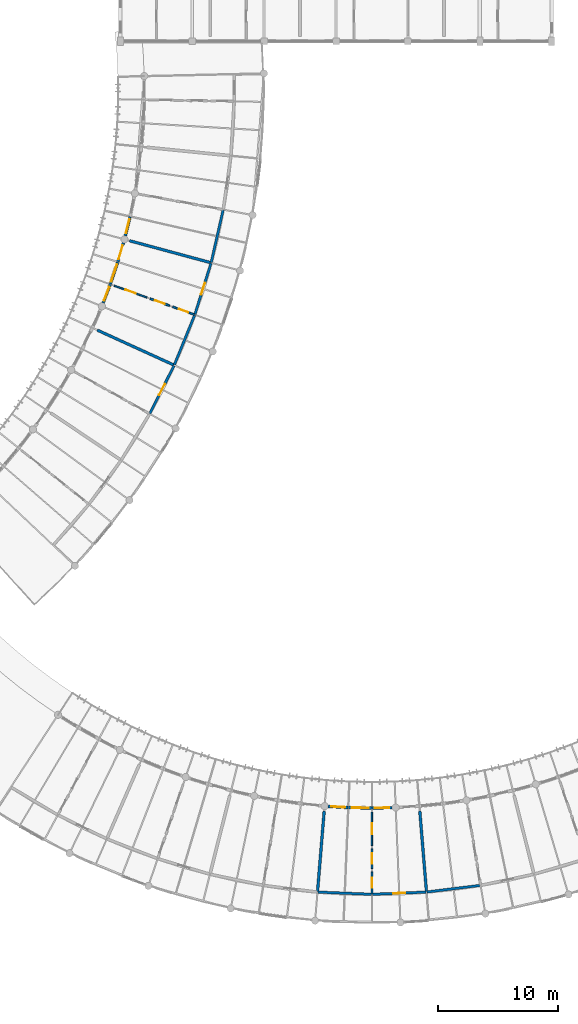
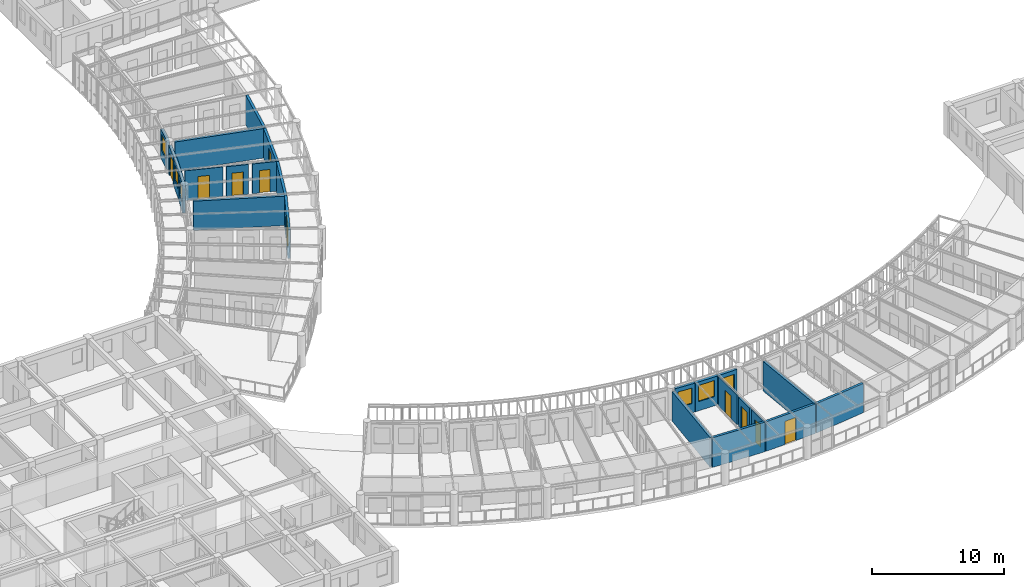
# One storey, part 61 of 101: 24 walls, 10 doors, 6 windows, 16 openings.
"""IFC4 building model written with IfcOpenShell, lengths in metres."""

import ifcopenshell
import ifcopenshell.guid

model = None  # the IFC model being written
_history = None  # IfcOwnerHistory: only IFC2X3 demands one
_inside = {}  # id of a spatial element -> (the spatial element, [elements in it])
_under = {}  # id of a project, library or spatial element -> (it, [spatial elements below it])
_declared = {}  # id of a project -> (the project, [libraries it declares])
_typed = {}  # id of a type object -> (the type object, [elements of that type])
_made_of = {}  # id of a material, layer set ... -> (it, [elements and type objects made of it])


def new_model(schema):
    """Start an empty IFC model of exactly this schema.

    Asked for "IFC4X3", IfcOpenShell would pick the latest addendum, in which some entities
    have other attributes; the version numbers below select the first issue.
    IFC2X3 requires an IfcOwnerHistory on every rooted entity: one is made here for all.
    """
    global model, _history
    if schema == "IFC4X3":
        model = ifcopenshell.file(schema_version=(4, 3, 0, 0))
    else:
        model = ifcopenshell.file(schema=schema)
    _inside.clear()
    _under.clear()
    _declared.clear()
    _typed.clear()
    _made_of.clear()
    _history = None
    if model.schema == "IFC2X3":
        org = make("IfcOrganization", Name="unknown")
        user = make(
            "IfcPersonAndOrganization",
            ThePerson=make("IfcPerson", FamilyName="unknown"),
            TheOrganization=org,
        )
        app = make(
            "IfcApplication",
            ApplicationDeveloper=org,
            Version="unknown",
            ApplicationFullName="unknown",
            ApplicationIdentifier="unknown",
        )
        _history = make(
            "IfcOwnerHistory",
            OwningUser=user,
            OwningApplication=app,
            ChangeAction="ADDED",
            CreationDate=0,
        )
    return model


def make(cls, **values):
    """One entity of the class cls with the attributes given. An attribute that is None is left unset."""
    return model.create_entity(
        cls, **{name: value for name, value in values.items() if value is not None}
    )


def rooted(cls, **values):
    """An entity with a GlobalId (a new one), such as an element, a storey or a relation."""
    return make(cls, GlobalId=ifcopenshell.guid.new(), OwnerHistory=_history, **values)


def si_unit(unit_type, name, prefix=None):
    """IfcSIUnit, for example si_unit("LENGTHUNIT", "METRE", prefix="MILLI")."""
    return make("IfcSIUnit", UnitType=unit_type, Prefix=prefix, Name=name)


def assignment(units):
    """IfcUnitAssignment: the units of a project."""
    return None if units is None else make("IfcUnitAssignment", Units=units)


def point(xyz):
    """IfcCartesianPoint."""
    return None if xyz is None else make("IfcCartesianPoint", Coordinates=xyz)


def direction(xyz):
    """IfcDirection."""
    return None if xyz is None else make("IfcDirection", DirectionRatios=xyz)


def frame(location, z_axis=None, x_axis=None):
    """IfcAxis2Placement3D, a coordinate frame: its origin and axes. An axis left out is left unset."""
    return make(
        "IfcAxis2Placement3D",
        Location=point(location),
        Axis=direction(z_axis),
        RefDirection=direction(x_axis),
    )


def frame_2d(location, x_axis=None):
    """IfcAxis2Placement2D, a coordinate frame in the plane: its origin and x axis."""
    return make(
        "IfcAxis2Placement2D", Location=point(location), RefDirection=direction(x_axis)
    )


def origin():
    """The frame at (0, 0, 0) with its axes left unset."""
    return frame((0.0, 0.0, 0.0))


def place(relative_to, where):
    """IfcLocalPlacement: puts the frame where relative to a parent placement (None: the world)."""
    return make(
        "IfcLocalPlacement", PlacementRelTo=relative_to, RelativePlacement=where
    )


def context(
    kind, dimensions, precision=None, world=None, true_north=None, identifier=None
):
    """IfcGeometricRepresentationContext, for example the 3D "Model" context."""
    return make(
        "IfcGeometricRepresentationContext",
        ContextIdentifier=identifier,
        ContextType=kind,
        CoordinateSpaceDimension=dimensions,
        Precision=precision,
        WorldCoordinateSystem=world,
        TrueNorth=true_north,
    )


def subcontext(parent, identifier, kind, view, scale=None):
    """IfcGeometricRepresentationSubContext, for example "Body" below "Model"."""
    return make(
        "IfcGeometricRepresentationSubContext",
        ContextIdentifier=identifier,
        ContextType=kind,
        ParentContext=parent,
        TargetScale=scale,
        TargetView=view,
    )


def project(units=None, contexts=None):
    """IfcProject with its units and contexts."""
    return rooted(
        "IfcProject",
        Name="project",
        RepresentationContexts=contexts,
        UnitsInContext=assignment(units),
    )


def spatial(cls, under=None, at=None, **own):
    """A site, building, storey or space (cls), placed at a placement, below another one or the project."""
    s = rooted(cls, ObjectPlacement=at, **own)
    if under is not None:
        _under.setdefault(under.id(), (under, []))[1].append(s)
    return s


def profile(cls, at=None, kind="AREA", **sizes):
    """A parametric profile (cls). Its sizes go by their IFC names, for example OverallWidth=200.0."""
    return make(cls, ProfileType=kind, Position=at, **sizes)


def rectangle(**sizes):
    """IfcRectangleProfileDef."""
    return profile("IfcRectangleProfileDef", **sizes)


def extrude(swept, where, along, depth):
    """IfcExtrudedAreaSolid: the profile swept, set in the frame where, extruded along a direction by depth."""
    return make(
        "IfcExtrudedAreaSolid",
        SweptArea=swept,
        Position=where,
        ExtrudedDirection=direction(along),
        Depth=depth,
    )


def shape(context_of_items, identifier, shape_type, items):
    """IfcShapeRepresentation: the items that make up one representation, for example the "Body"."""
    return make(
        "IfcShapeRepresentation",
        ContextOfItems=context_of_items,
        RepresentationIdentifier=identifier,
        RepresentationType=shape_type,
        Items=items,
    )


def material(Name=None, Category=None):
    """IfcMaterial."""
    return make("IfcMaterial", Name=Name, Category=Category)


def layer(
    of_material, thickness, ventilated=None, Name=None, Category=None, Priority=None
):
    """IfcMaterialLayer: one layer of a wall or slab, of a material (None: an air gap)."""
    return make(
        "IfcMaterialLayer",
        Material=of_material,
        LayerThickness=thickness,
        IsVentilated=ventilated,
        Name=Name,
        Category=Category,
        Priority=Priority,
    )


def layer_set(layers, Name=None):
    """IfcMaterialLayerSet."""
    return make("IfcMaterialLayerSet", MaterialLayers=layers, LayerSetName=Name)


def made_of(thing, what):
    """Note that an element or type object is made of a material, layer set ...; save() writes the relation."""
    if what is not None:
        _made_of.setdefault(what.id(), (what, []))[1].append(thing)
    return thing


def type_object(cls, material=None, **own):
    """A type object (cls), such as IfcWallType, which elements share."""
    return made_of(rooted(cls, **own), material)


def element(
    cls,
    number,
    at=None,
    inside=None,
    cuts=None,
    type_object=None,
    material=None,
    context=None,
    identifier="Body",
    shape_type=None,
    held_by="IfcProductDefinitionShape",
    body=None,
    shapes=None,
    **own,
):
    """One element of the class cls, such as IfcWall. Its Tag is "e" and its number.

    at: its placement. inside: the storey or other place that contains it. cuts: it is an
    opening in that element (IfcRelVoidsElement). A single representation is given by context,
    identifier, shape_type and body (its items); several are given by shapes. held_by: the class
    of the entity that holds the representations. save() writes the other relations.
    """
    e = rooted(cls, Tag="e%d" % number, ObjectPlacement=at, **own)
    if body is not None:
        shapes = [shape(context, identifier, shape_type, body)]
    if shapes is not None:
        e.Representation = make(held_by, Representations=shapes)
    if inside is not None:
        _inside.setdefault(inside.id(), (inside, []))[1].append(e)
    if cuts is not None:
        rooted(
            "IfcRelVoidsElement", RelatingBuildingElement=cuts, RelatedOpeningElement=e
        )
    if type_object is not None:
        _typed.setdefault(type_object.id(), (type_object, []))[1].append(e)
    return made_of(e, material)


def fill(opening, filler):
    """IfcRelFillsElement: the door or window that sits in an opening."""
    return rooted(
        "IfcRelFillsElement",
        RelatingOpeningElement=opening,
        RelatedBuildingElement=filler,
    )


def aggregate(whole, parts):
    """IfcRelAggregates: a whole, such as a stair, and the parts it consists of."""
    return rooted("IfcRelAggregates", RelatingObject=whole, RelatedObjects=parts)


def save(model, path):
    """Write the relations noted so far, then the file.

    IfcRelAggregates (storeys below a building ...), IfcRelContainedInSpatialStructure (elements
    in a storey), IfcRelDefinesByType, IfcRelAssociatesMaterial and IfcRelDeclares: one each for
    every whole, place, type object, material and project.
    """
    for whole, parts in _under.values():
        aggregate(whole, parts)
    for where, things in _inside.values():
        rooted(
            "IfcRelContainedInSpatialStructure",
            RelatedElements=things,
            RelatingStructure=where,
        )
    for kind, things in _typed.values():
        rooted("IfcRelDefinesByType", RelatedObjects=things, RelatingType=kind)
    for what, things in _made_of.values():
        rooted("IfcRelAssociatesMaterial", RelatedObjects=things, RelatingMaterial=what)
    for by, libraries in _declared.values():
        rooted("IfcRelDeclares", RelatingContext=by, RelatedDefinitions=libraries)
    model.write(path)


model = new_model("IFC4")

# Units and contexts
model_context = context("Model", 3, precision=1e-05, world=origin(), true_north=direction((0.0, 1.0)))
body_context = subcontext(model_context, "Body", "Model", "MODEL_VIEW")
ifc_project = project(units=[si_unit("LENGTHUNIT", "METRE"), si_unit("AREAUNIT", "SQUARE_METRE"), si_unit("VOLUMEUNIT", "CUBIC_METRE"), si_unit("PLANEANGLEUNIT", "RADIAN"), si_unit("MASSUNIT", "GRAM", prefix="KILO"), si_unit("POWERUNIT", "WATT"), si_unit("THERMODYNAMICTEMPERATUREUNIT", "KELVIN")], contexts=[model_context])

# Site, building, storey
site_placement = place(None, origin())
site = spatial("IfcSite", under=ifc_project, at=site_placement, CompositionType="ELEMENT")
building_placement = place(site_placement, origin())
building = spatial("IfcBuilding", under=site, at=building_placement, Name="Ruvembo Vaulted Housing Court", CompositionType="ELEMENT")
storey_placement = place(building_placement, frame((0.0, 0.0, 17.300048828125)))
storey = spatial("IfcBuildingStorey", under=building, at=storey_placement, Name="L05", CompositionType="ELEMENT", Elevation=17.300048828125)

# Wall, opening, door
ifc_material_1 = material(Name="Concrete Blockwork 210", Category="masonry")
ifc_layer_1 = layer(ifc_material_1, 0.2099609375, Name="Concrete Blockwork 210")
ifc_layer_set_1 = layer_set([ifc_layer_1], Name="Concrete Blockwork 210")
wall_type_1 = type_object("IfcWallType", Name="WL-CORR-210", PredefinedType="SOLIDWALL", material=ifc_layer_set_1)
wall_1_placement = place(storey_placement, frame((50.45703125, 46.94482421875, 0.0), z_axis=(0.0, 0.0, 1.0), x_axis=(0.451972910967, 0.892031662976, 0.0)))
wall_1 = element("IfcWall", 1, at=wall_1_placement, inside=storey, type_object=wall_type_1, Name="L05 Suite SC1-L05-U2 Entrance WL-INT-L05-01585", PredefinedType="SOLIDWALL", context=body_context, shape_type="SweptSolid", body=[
    extrude(rectangle(XDim=4.46728515625, YDim=0.2099609375, at=frame_2d((2.233642578125, 0.0))), origin(), (0.0, 0.0, 1.0), 2.75390625),
])
opening_1_placement = place(wall_1_placement, frame((1.70849609375, 0.0, 0.0)))
opening_1 = element("IfcOpeningElement", 2, at=opening_1_placement, cuts=wall_1, Name="Opening FD3", PredefinedType="OPENING", context=body_context, shape_type="SweptSolid", body=[
    extrude(rectangle(XDim=1.050048828125, YDim=2.14990234375, at=frame_2d((0.52490234375, 1.074951171875))), frame((0.0, 0.114990234375, 0.0), z_axis=(0.0, -1.0, 0.0), x_axis=(1.0, 0.0, 0.0)), (0.0, 0.0, 1.0), 0.22998046875),
])
ifc_material_2 = material(Name="FSC Hardwood and Engineered Timber", Category="wood")
door_type_1 = type_object("IfcDoorType", Name="DR-FLAT-1050x2150", OperationType="NOTDEFINED", PredefinedType="DOOR", material=ifc_material_2)
door_1_placement = place(opening_1_placement, origin())
door_1 = element("IfcDoor", 3, at=door_1_placement, inside=storey, type_object=door_type_1, Name="L05 Suite SC1-L05-U2 Entrance Door DR-INT-L05-00887", OperationType="SINGLE_SWING_LEFT", OverallHeight=2.14990234375, OverallWidth=1.050048828125, PredefinedType="DOOR", context=body_context, shape_type="SweptSolid", body=[
    extrude(rectangle(XDim=1.050048828125, YDim=2.14990234375, at=frame_2d((0.52490234375, 1.074951171875))), frame((0.0, 0.02490234375, 0.0), z_axis=(0.0, -1.0, 0.0), x_axis=(1.0, 0.0, 0.0)), (0.0, 0.0, 1.0), 0.050048828125),
])
fill(opening_1, door_1)

# Wall
wall_2_placement = place(storey_placement, frame((52.50927734375, 51.00244140625, 0.0), z_axis=(0.0, 0.0, 1.0), x_axis=(0.377413192487, 0.926044967665, 0.0)))
element("IfcWall", 4, at=wall_2_placement, inside=storey, type_object=wall_type_1, Name="L05 Suite SC1-L05-U3 Gallery Wall WL-INT-L05-01590", PredefinedType="SOLIDWALL", context=body_context, shape_type="SweptSolid", body=[
    extrude(rectangle(XDim=4.46728515625, YDim=0.2099609375, at=frame_2d((2.233642578125, 0.0))), origin(), (0.0, 0.0, 1.0), 2.73388671875),
])

# Wall, opening, door
wall_3_placement = place(storey_placement, frame((54.222412109375, 55.214599609375, 0.0), z_axis=(0.0, 0.0, 1.0), x_axis=(0.300377958446, 0.953820256694, 0.0)))
wall_3 = element("IfcWall", 5, at=wall_3_placement, inside=storey, type_object=wall_type_1, Name="L05 Suite SC1-L05-U3 Entrance WL-INT-L05-01591", PredefinedType="SOLIDWALL", context=body_context, shape_type="SweptSolid", body=[
    extrude(rectangle(XDim=4.467041015625, YDim=0.2099609375, at=frame_2d((2.2333984375, 0.0))), origin(), (0.0, 0.0, 1.0), 2.7138671875),
])
opening_2_placement = place(wall_3_placement, frame((1.7333984375, 0.0, 0.0)))
opening_2 = element("IfcOpeningElement", 6, at=opening_2_placement, cuts=wall_3, Name="Opening FD1", PredefinedType="OPENING", context=body_context, shape_type="SweptSolid", body=[
    extrude(rectangle(XDim=1.0, YDim=2.14990234375, at=frame_2d((0.5, 1.074951171875))), frame((0.0, 0.114990234375, 0.0), z_axis=(0.0, -1.0, 0.0), x_axis=(1.0, 0.0, 0.0)), (0.0, 0.0, 1.0), 0.22998046875),
])
door_type_2 = type_object("IfcDoorType", Name="DR-FLAT-1000x2150", OperationType="NOTDEFINED", PredefinedType="DOOR", material=ifc_material_2)
door_2_placement = place(opening_2_placement, origin())
door_2 = element("IfcDoor", 7, at=door_2_placement, inside=storey, type_object=door_type_2, Name="L05 Suite SC1-L05-U3 Entrance Door DR-INT-L05-00891", OperationType="SINGLE_SWING_LEFT", OverallHeight=2.14990234375, OverallWidth=1.0, PredefinedType="DOOR", context=body_context, shape_type="SweptSolid", body=[
    extrude(rectangle(XDim=1.0, YDim=2.14990234375, at=frame_2d((0.5, 1.074951171875))), frame((0.0, 0.02490234375, 0.0), z_axis=(0.0, -1.0, 0.0), x_axis=(1.0, 0.0, 0.0)), (0.0, 0.0, 1.0), 0.050048828125),
])
fill(opening_2, door_2)

# Walls
wall_4_placement = place(storey_placement, frame((55.5849609375, 59.552490234375, 0.0), z_axis=(0.0, 0.0, 1.0), x_axis=(0.221221895428, 0.97522349899, 0.0)))
element("IfcWall", 8, at=wall_4_placement, inside=storey, type_object=wall_type_1, Name="L05 Suite SC1-L05-U4 Gallery Wall WL-INT-L05-01596", PredefinedType="SOLIDWALL", context=body_context, shape_type="SweptSolid", body=[
    extrude(rectangle(XDim=4.46728515625, YDim=0.2099609375, at=frame_2d((2.233642578125, 0.0))), origin(), (0.0, 0.0, 1.0), 2.75390625),
])
wall_5_placement = place(storey_placement, frame((64.49072265625, 6.986083984375, 0.0), z_axis=(0.0, 0.0, 1.0), x_axis=(0.999148329529, -0.041262762871, 0.0)))
element("IfcWall", 9, at=wall_5_placement, inside=storey, type_object=wall_type_1, Name="L05 Suite SC2-L05-U4 Gallery Wall WL-INT-L05-01625", PredefinedType="SOLIDWALL", context=body_context, shape_type="SweptSolid", body=[
    extrude(rectangle(XDim=4.47314453125, YDim=0.2099609375, at=frame_2d((2.236572265625, 0.0))), origin(), (0.0, 0.0, 1.0), 2.75390625),
])

# Wall, opening, door
wall_6_placement = place(storey_placement, frame((69.0400390625, 6.801513671875, 0.0), z_axis=(0.0, 0.0, 1.0), x_axis=(0.999148329529, 0.041262762871, 0.0)))
wall_6 = element("IfcWall", 10, at=wall_6_placement, inside=storey, type_object=wall_type_1, Name="L05 Suite SC2-L05-U4 Entrance WL-INT-L05-01626", PredefinedType="SOLIDWALL", context=body_context, shape_type="SweptSolid", body=[
    extrude(rectangle(XDim=4.47314453125, YDim=0.2099609375, at=frame_2d((2.236572265625, 0.0))), origin(), (0.0, 0.0, 1.0), 2.73388671875),
])
opening_3_placement = place(wall_6_placement, frame((1.736572265625, 0.0, 0.0)))
opening_3 = element("IfcOpeningElement", 11, at=opening_3_placement, cuts=wall_6, Name="Opening FD1", PredefinedType="OPENING", context=body_context, shape_type="SweptSolid", body=[
    extrude(rectangle(XDim=1.0, YDim=2.14990234375, at=frame_2d((0.5, 1.074951171875))), frame((0.0, 0.114990234375, 0.0), z_axis=(0.0, -1.0, 0.0), x_axis=(1.0, 0.0, 0.0)), (0.0, 0.0, 1.0), 0.22998046875),
])
door_3_placement = place(opening_3_placement, origin())
door_3 = element("IfcDoor", 12, at=door_3_placement, inside=storey, type_object=door_type_2, Name="L05 Suite SC2-L05-U4 Entrance Door DR-INT-L05-00915", OperationType="SINGLE_SWING_LEFT", OverallHeight=2.14990234375, OverallWidth=1.0, PredefinedType="DOOR", context=body_context, shape_type="SweptSolid", body=[
    extrude(rectangle(XDim=1.0, YDim=2.14990234375, at=frame_2d((0.5, 1.074951171875))), frame((0.0, 0.02490234375, 0.0), z_axis=(0.0, -1.0, 0.0), x_axis=(1.0, 0.0, 0.0)), (0.0, 0.0, 1.0), 0.050048828125),
])
fill(opening_3, door_3)

# Walls
wall_7_placement = place(storey_placement, frame((73.5888671875, 6.99267578125, 0.0), z_axis=(0.0, 0.0, 1.0), x_axis=(0.992349088432, 0.123463705959, 0.0)))
element("IfcWall", 13, at=wall_7_placement, inside=storey, type_object=wall_type_1, Name="L05 Suite SC2-L05-U5 Gallery Wall WL-INT-L05-01631", PredefinedType="SOLIDWALL", context=body_context, shape_type="SweptSolid", body=[
    extrude(rectangle(XDim=4.472900390625, YDim=0.2099609375, at=frame_2d((2.236328125, 0.0))), origin(), (0.0, 0.0, 1.0), 2.7138671875),
])
ifc_material_3 = material(Name="Acoustic Masonry Demising 230", Category="masonry")
ifc_layer_2 = layer(ifc_material_3, 0.22998046875, Name="Acoustic Masonry Demising 230")
ifc_layer_set_2 = layer_set([ifc_layer_2], Name="Acoustic Masonry Demising 230")
wall_type_2 = type_object("IfcWallType", Name="WL-DEM-230", PredefinedType="SOLIDWALL", material=ifc_layer_set_2)
wall_8_placement = place(storey_placement, frame((46.07080078125, 53.8955078125, 0.0), z_axis=(0.0, 0.0, 1.0), x_axis=(0.909807068599, -0.415031442095, 0.0)))
element("IfcWall", 14, at=wall_8_placement, inside=storey, type_object=wall_type_2, Name="L05 Suite SC1-L05-U2 Demising WL-INT-L05-01589", PredefinedType="SOLIDWALL", context=body_context, shape_type="SweptSolid", body=[
    extrude(rectangle(XDim=7.02001953125, YDim=0.22998046875, at=frame_2d((3.510009765625, 0.0))), origin(), (0.0, 0.0, 1.0), 2.7138671875),
])
wall_9_placement = place(storey_placement, frame((48.7607421875, 61.3564453125, 0.0), z_axis=(0.0, 0.0, 1.0), x_axis=(0.965329768393, -0.26103340448, 0.0)))
element("IfcWall", 15, at=wall_9_placement, inside=storey, type_object=wall_type_2, Name="L05 Suite SC1-L05-U3 Demising WL-INT-L05-01595", PredefinedType="SOLIDWALL", context=body_context, shape_type="SweptSolid", body=[
    extrude(rectangle(XDim=7.020263671875, YDim=0.22998046875, at=frame_2d((3.51025390625, 0.0))), origin(), (0.0, 0.0, 1.0), 2.73388671875),
])
wall_10_placement = place(storey_placement, frame((65.00927734375, 13.74072265625, 0.0), z_axis=(0.0, 0.0, 1.0), x_axis=(-0.082418569382, -0.996597802236, 0.0)))
element("IfcWall", 16, at=wall_10_placement, inside=storey, type_object=wall_type_2, Name="L05 Suite SC2-L05-U3 Demising WL-INT-L05-01624", PredefinedType="SOLIDWALL", context=body_context, shape_type="SweptSolid", body=[
    extrude(rectangle(XDim=6.736083984375, YDim=0.22998046875, at=frame_2d((3.3681640625, 0.0))), origin(), (0.0, 0.0, 1.0), 2.73388671875),
])
wall_11_placement = place(storey_placement, frame((72.99072265625, 13.74072265625, 0.0), z_axis=(0.0, 0.0, 1.0), x_axis=(0.082418569382, -0.996597802236, 0.0)))
element("IfcWall", 17, at=wall_11_placement, inside=storey, type_object=wall_type_2, Name="L05 Suite SC2-L05-U4 Demising WL-INT-L05-01630", PredefinedType="SOLIDWALL", context=body_context, shape_type="SweptSolid", body=[
    extrude(rectangle(XDim=6.736083984375, YDim=0.22998046875, at=frame_2d((3.3681640625, 0.0))), origin(), (0.0, 0.0, 1.0), 2.75390625),
])

# Wall, opening, window
ifc_material_4 = material(Name="Rendered Masonry 235", Category="masonry")
ifc_layer_3 = layer(ifc_material_4, 0.235107421875, Name="Rendered Masonry 235")
ifc_layer_set_3 = layer_set([ifc_layer_3], Name="Rendered Masonry 235")
wall_type_3 = type_object("IfcWallType", Name="WL-EXT-235", PredefinedType="STANDARD", material=ifc_layer_set_3)
wall_12_placement = place(storey_placement, frame((46.5576171875, 56.1640625, 0.0), z_axis=(0.0, 0.0, 1.0), x_axis=(0.358343161541, 0.933589941343, 0.0)))
wall_12 = element("IfcWall", 18, at=wall_12_placement, inside=storey, type_object=wall_type_3, Name="Scoop SC1 L05 Concave Balcony Wall 9", PredefinedType="STANDARD", context=body_context, shape_type="SweptSolid", body=[
    extrude(rectangle(XDim=1.646728515625, YDim=0.235107421875, at=frame_2d((0.8232421875, 0.0))), origin(), (0.0, 0.0, 1.0), 2.676025390625),
])
opening_4_placement = place(wall_12_placement, frame((0.223388671875, 0.0, 0.85009765625)))
opening_4 = element("IfcOpeningElement", 19, at=opening_4_placement, cuts=wall_12, Name="Opening W12", PredefinedType="OPENING", context=body_context, shape_type="SweptSolid", body=[
    extrude(rectangle(XDim=1.199951171875, YDim=1.35009765625, at=frame_2d((0.60009765625, 0.675048828125))), frame((0.0, 0.12744140625, 0.0), z_axis=(0.0, -1.0, 0.0), x_axis=(1.0, 0.0, 0.0)), (0.0, 0.0, 1.0), 0.255126953125),
])
ifc_material_5 = material(Name="Double Solar-Control Glazing in Aluminium Frame", Category="aluminium")
window_type_1 = type_object("IfcWindowType", Name="WIN-1200x1350", PartitioningType="SINGLE_PANEL", PredefinedType="WINDOW", material=ifc_material_5)
window_1_placement = place(opening_4_placement, origin())
window_1 = element("IfcWindow", 20, at=window_1_placement, inside=storey, type_object=window_type_1, Name="Scoop SC1 L05 Concave Window 9", OverallHeight=1.35009765625, OverallWidth=1.199951171875, PartitioningType="SINGLE_PANEL", PredefinedType="WINDOW", context=body_context, shape_type="SweptSolid", body=[
    extrude(rectangle(XDim=1.199951171875, YDim=1.35009765625, at=frame_2d((0.60009765625, 0.675048828125))), frame((0.0, 0.030029296875, 0.0), z_axis=(0.0, -1.0, 0.0), x_axis=(1.0, 0.0, 0.0)), (0.0, 0.0, 1.0), 0.06005859375),
])
fill(opening_4, window_1)

wall_13_placement = place(storey_placement, frame((47.161376953125, 57.739013671875, 0.0), z_axis=(0.0, 0.0, 1.0), x_axis=(0.319798549746, 0.947485560618, 0.0)))
wall_13 = element("IfcWall", 21, at=wall_13_placement, inside=storey, type_object=wall_type_3, Name="Scoop SC1 L05 Concave Balcony Wall 10", PredefinedType="STANDARD", context=body_context, shape_type="SweptSolid", body=[
    extrude(rectangle(XDim=1.9267578125, YDim=0.235107421875, at=frame_2d((0.96337890625, 0.0))), origin(), (0.0, 0.0, 1.0), 2.676025390625),
])
opening_5_placement = place(wall_13_placement, frame((0.21337890625, 0.0, 0.85009765625)))
opening_5 = element("IfcOpeningElement", 22, at=opening_5_placement, cuts=wall_13, Name="Opening W18", PredefinedType="OPENING", context=body_context, shape_type="SweptSolid", body=[
    extrude(rectangle(XDim=1.5, YDim=1.39990234375, at=frame_2d((0.75, 0.699951171875))), frame((0.0, 0.12744140625, 0.0), z_axis=(0.0, -1.0, 0.0), x_axis=(1.0, 0.0, 0.0)), (0.0, 0.0, 1.0), 0.255126953125),
])
window_type_2 = type_object("IfcWindowType", Name="WIN-1500x1400", PartitioningType="SINGLE_PANEL", PredefinedType="WINDOW", material=ifc_material_5)
window_2_placement = place(opening_5_placement, origin())
window_2 = element("IfcWindow", 23, at=window_2_placement, inside=storey, type_object=window_type_2, Name="Scoop SC1 L05 Concave Window 10", OverallHeight=1.39990234375, OverallWidth=1.5, PartitioningType="SINGLE_PANEL", PredefinedType="WINDOW", context=body_context, shape_type="SweptSolid", body=[
    extrude(rectangle(XDim=1.5, YDim=1.39990234375, at=frame_2d((0.75, 0.699951171875))), frame((0.0, 0.030029296875, 0.0), z_axis=(0.0, -1.0, 0.0), x_axis=(1.0, 0.0, 0.0)), (0.0, 0.0, 1.0), 0.06005859375),
])
fill(opening_5, window_2)

# Wall, opening, door
wall_14_placement = place(storey_placement, frame((47.78955078125, 59.602783203125, 0.0), z_axis=(0.0, 0.0, 1.0), x_axis=(0.280648942253, 0.959810487134, 0.0)))
wall_14 = element("IfcWall", 24, at=wall_14_placement, inside=storey, type_object=wall_type_3, Name="Scoop SC1 L05 Concave Balcony Wall 11", PredefinedType="STANDARD", context=body_context, shape_type="SweptSolid", body=[
    extrude(rectangle(XDim=1.646728515625, YDim=0.235107421875, at=frame_2d((0.8232421875, 0.0))), origin(), (0.0, 0.0, 1.0), 2.676025390625),
])
opening_6_placement = place(wall_14_placement, frame((0.223388671875, 0.0, 0.0)))
opening_6 = element("IfcOpeningElement", 25, at=opening_6_placement, cuts=wall_14, Name="Opening BD2", PredefinedType="OPENING", context=body_context, shape_type="SweptSolid", body=[
    extrude(rectangle(XDim=1.199951171875, YDim=2.14990234375, at=frame_2d((0.60009765625, 1.074951171875))), frame((0.0, 0.12744140625, 0.0), z_axis=(0.0, -1.0, 0.0), x_axis=(1.0, 0.0, 0.0)), (0.0, 0.0, 1.0), 0.255126953125),
])
ifc_material_6 = material(Name="Thermally Broken Glazed Aluminium", Category="aluminium")
door_type_3 = type_object("IfcDoorType", Name="DR-BAL-1200x2150", OperationType="NOTDEFINED", PredefinedType="DOOR", material=ifc_material_6)
door_4_placement = place(opening_6_placement, origin())
door_4 = element("IfcDoor", 26, at=door_4_placement, inside=storey, type_object=door_type_3, Name="Scoop SC1 L05 Balcony Door 11", OperationType="SINGLE_SWING_RIGHT", OverallHeight=2.14990234375, OverallWidth=1.199951171875, PredefinedType="DOOR", context=body_context, shape_type="SweptSolid", body=[
    extrude(rectangle(XDim=1.199951171875, YDim=2.14990234375, at=frame_2d((0.60009765625, 1.074951171875))), frame((0.0, 0.02490234375, 0.0), z_axis=(0.0, -1.0, 0.0), x_axis=(1.0, 0.0, 0.0)), (0.0, 0.0, 1.0), 0.050048828125),
])
fill(opening_6, door_4)

# Wall, opening, window
wall_15_placement = place(storey_placement, frame((48.408447265625, 61.76220703125, 0.0), z_axis=(0.0, 0.0, 1.0), x_axis=(0.241175130643, 0.970481610521, 0.0)))
wall_15 = element("IfcWall", 27, at=wall_15_placement, inside=storey, type_object=wall_type_3, Name="Scoop SC1 L05 Concave Balcony Wall 12", PredefinedType="STANDARD", context=body_context, shape_type="SweptSolid", body=[
    extrude(rectangle(XDim=1.64697265625, YDim=0.235107421875, at=frame_2d((0.823486328125, 0.0))), origin(), (0.0, 0.0, 1.0), 2.676025390625),
])
opening_7_placement = place(wall_15_placement, frame((0.223388671875, 0.0, 0.85009765625)))
opening_7 = element("IfcOpeningElement", 28, at=opening_7_placement, cuts=wall_15, Name="Opening W14", PredefinedType="OPENING", context=body_context, shape_type="SweptSolid", body=[
    extrude(rectangle(XDim=1.199951171875, YDim=1.5, at=frame_2d((0.60009765625, 0.75))), frame((0.0, 0.12744140625, 0.0), z_axis=(0.0, -1.0, 0.0), x_axis=(1.0, 0.0, 0.0)), (0.0, 0.0, 1.0), 0.255126953125),
])
window_type_3 = type_object("IfcWindowType", Name="WIN-1200x1500", PartitioningType="SINGLE_PANEL", PredefinedType="WINDOW", material=ifc_material_5)
window_3_placement = place(opening_7_placement, origin())
window_3 = element("IfcWindow", 29, at=window_3_placement, inside=storey, type_object=window_type_3, Name="Scoop SC1 L05 Concave Window 12", OverallHeight=1.5, OverallWidth=1.199951171875, PartitioningType="SINGLE_PANEL", PredefinedType="WINDOW", context=body_context, shape_type="SweptSolid", body=[
    extrude(rectangle(XDim=1.199951171875, YDim=1.5, at=frame_2d((0.60009765625, 0.75))), frame((0.0, 0.030029296875, 0.0), z_axis=(0.0, -1.0, 0.0), x_axis=(1.0, 0.0, 0.0)), (0.0, 0.0, 1.0), 0.06005859375),
])
fill(opening_7, window_3)

wall_16_placement = place(storey_placement, frame((65.343505859375, 14.144775390625, 0.0), z_axis=(0.0, 0.0, 1.0), x_axis=(0.998081651949, -0.061911356339, 0.0)))
wall_16 = element("IfcWall", 30, at=wall_16_placement, inside=storey, type_object=wall_type_3, Name="Scoop SC2 L05 Concave Balcony Wall 12", PredefinedType="STANDARD", context=body_context, shape_type="SweptSolid", body=[
    extrude(rectangle(XDim=1.66015625, YDim=0.235107421875, at=frame_2d((0.830078125, 0.0))), origin(), (0.0, 0.0, 1.0), 2.676025390625),
])
opening_8_placement = place(wall_16_placement, frame((0.2548828125, 0.0, 0.85009765625)))
opening_8 = element("IfcOpeningElement", 31, at=opening_8_placement, cuts=wall_16, Name="Opening W11", PredefinedType="OPENING", context=body_context, shape_type="SweptSolid", body=[
    extrude(rectangle(XDim=1.14990234375, YDim=1.449951171875, at=frame_2d((0.574951171875, 0.72509765625))), frame((0.0, 0.12744140625, 0.0), z_axis=(0.0, -1.0, 0.0), x_axis=(1.0, 0.0, 0.0)), (0.0, 0.0, 1.0), 0.255126953125),
])
window_type_4 = type_object("IfcWindowType", Name="WIN-1150x1450", PartitioningType="SINGLE_PANEL", PredefinedType="WINDOW", material=ifc_material_5)
window_4_placement = place(opening_8_placement, origin())
window_4 = element("IfcWindow", 32, at=window_4_placement, inside=storey, type_object=window_type_4, Name="Scoop SC2 L05 Concave Window 12", OverallHeight=1.449951171875, OverallWidth=1.14990234375, PartitioningType="SINGLE_PANEL", PredefinedType="WINDOW", context=body_context, shape_type="SweptSolid", body=[
    extrude(rectangle(XDim=1.14990234375, YDim=1.449951171875, at=frame_2d((0.574951171875, 0.72509765625))), frame((0.0, 0.030029296875, 0.0), z_axis=(0.0, -1.0, 0.0), x_axis=(1.0, 0.0, 0.0)), (0.0, 0.0, 1.0), 0.06005859375),
])
fill(opening_8, window_4)

wall_17_placement = place(storey_placement, frame((67.040283203125, 14.040283203125, 0.0), z_axis=(0.0, 0.0, 1.0), x_axis=(0.999789612304, -0.020511731505, 0.0)))
wall_17 = element("IfcWall", 33, at=wall_17_placement, inside=storey, type_object=wall_type_3, Name="Scoop SC2 L05 Concave Balcony Wall 13", PredefinedType="STANDARD", context=body_context, shape_type="SweptSolid", body=[
    extrude(rectangle(XDim=1.940185546875, YDim=0.235107421875, at=frame_2d((0.97021484375, 0.0))), origin(), (0.0, 0.0, 1.0), 2.676025390625),
])
opening_9_placement = place(wall_17_placement, frame((0.27001953125, 0.0, 0.85009765625)))
opening_9 = element("IfcOpeningElement", 34, at=opening_9_placement, cuts=wall_17, Name="Opening W17", PredefinedType="OPENING", context=body_context, shape_type="SweptSolid", body=[
    extrude(rectangle(XDim=1.39990234375, YDim=1.5, at=frame_2d((0.699951171875, 0.75))), frame((0.0, 0.12744140625, 0.0), z_axis=(0.0, -1.0, 0.0), x_axis=(1.0, 0.0, 0.0)), (0.0, 0.0, 1.0), 0.255126953125),
])
window_type_5 = type_object("IfcWindowType", Name="WIN-1400x1500", PartitioningType="SINGLE_PANEL", PredefinedType="WINDOW", material=ifc_material_5)
window_5_placement = place(opening_9_placement, origin())
window_5 = element("IfcWindow", 35, at=window_5_placement, inside=storey, type_object=window_type_5, Name="Scoop SC2 L05 Concave Window 13", OverallHeight=1.5, OverallWidth=1.39990234375, PartitioningType="SINGLE_PANEL", PredefinedType="WINDOW", context=body_context, shape_type="SweptSolid", body=[
    extrude(rectangle(XDim=1.39990234375, YDim=1.5, at=frame_2d((0.699951171875, 0.75))), frame((0.0, 0.030029296875, 0.0), z_axis=(0.0, -1.0, 0.0), x_axis=(1.0, 0.0, 0.0)), (0.0, 0.0, 1.0), 0.06005859375),
])
fill(opening_9, window_5)

wall_18_placement = place(storey_placement, frame((69.02001953125, 14.00048828125, 0.0), z_axis=(0.0, 0.0, 1.0), x_axis=(0.999788004991, 0.020589926552, 0.0)))
wall_18 = element("IfcWall", 36, at=wall_18_placement, inside=storey, type_object=wall_type_3, Name="Scoop SC2 L05 Concave Balcony Wall 14", PredefinedType="STANDARD", context=body_context, shape_type="SweptSolid", body=[
    extrude(rectangle(XDim=1.659912109375, YDim=0.235107421875, at=frame_2d((0.830078125, 0.0))), origin(), (0.0, 0.0, 1.0), 2.676025390625),
])
opening_10_placement = place(wall_18_placement, frame((0.22998046875, 0.0, 0.85009765625)))
opening_10 = element("IfcOpeningElement", 37, at=opening_10_placement, cuts=wall_18, Name="Opening W13", PredefinedType="OPENING", context=body_context, shape_type="SweptSolid", body=[
    extrude(rectangle(XDim=1.199951171875, YDim=1.449951171875, at=frame_2d((0.60009765625, 0.72509765625))), frame((0.0, 0.12744140625, 0.0), z_axis=(0.0, -1.0, 0.0), x_axis=(1.0, 0.0, 0.0)), (0.0, 0.0, 1.0), 0.255126953125),
])
window_type_6 = type_object("IfcWindowType", Name="WIN-1200x1450", PartitioningType="SINGLE_PANEL", PredefinedType="WINDOW", material=ifc_material_5)
window_6_placement = place(opening_10_placement, origin())
window_6 = element("IfcWindow", 38, at=window_6_placement, inside=storey, type_object=window_type_6, Name="Scoop SC2 L05 Concave Window 14", OverallHeight=1.449951171875, OverallWidth=1.199951171875, PartitioningType="SINGLE_PANEL", PredefinedType="WINDOW", context=body_context, shape_type="SweptSolid", body=[
    extrude(rectangle(XDim=1.199951171875, YDim=1.449951171875, at=frame_2d((0.60009765625, 0.72509765625))), frame((0.0, 0.030029296875, 0.0), z_axis=(0.0, -1.0, 0.0), x_axis=(1.0, 0.0, 0.0)), (0.0, 0.0, 1.0), 0.06005859375),
])
fill(opening_10, window_6)

# Wall, opening, door
ifc_material_7 = material(Name="Plasterboard Stud Partition 125", Category="gypsum")
ifc_layer_4 = layer(ifc_material_7, 0.125, Name="Plasterboard Stud Partition 125")
ifc_layer_set_4 = layer_set([ifc_layer_4], Name="Plasterboard Stud Partition 125")
wall_type_4 = type_object("IfcWallType", Name="WL-PART-125", PredefinedType="PARTITIONING", material=ifc_layer_set_4)
wall_19_placement = place(storey_placement, frame((47.474609375, 57.604736328125, 0.0), z_axis=(0.0, 0.0, 1.0), x_axis=(0.940746643475, -0.33911023693, 0.0)))
wall_19 = element("IfcWall", 39, at=wall_19_placement, inside=storey, type_object=wall_type_4, Name="L05 Suite SC1-L05-U3 Bedroom WL-INT-L05-01592", PredefinedType="PARTITIONING", context=body_context, shape_type="SweptSolid", body=[
    extrude(rectangle(XDim=2.920166015625, YDim=0.125, at=frame_2d((1.4599609375, 0.0))), origin(), (0.0, 0.0, 1.0), 2.75390625),
])
opening_11_placement = place(wall_19_placement, frame((1.010009765625, 0.0, 0.0)))
opening_11 = element("IfcOpeningElement", 40, at=opening_11_placement, cuts=wall_19, Name="Opening ID1", PredefinedType="OPENING", context=body_context, shape_type="SweptSolid", body=[
    extrude(rectangle(XDim=0.89990234375, YDim=2.10009765625, at=frame_2d((0.449951171875, 1.050048828125))), frame((0.0, 0.072509765625, 0.0), z_axis=(0.0, -1.0, 0.0), x_axis=(1.0, 0.0, 0.0)), (0.0, 0.0, 1.0), 0.14501953125),
])
door_type_4 = type_object("IfcDoorType", Name="DR-ROOM-0900x2100", OperationType="NOTDEFINED", PredefinedType="DOOR", material=ifc_material_2)
door_5_placement = place(opening_11_placement, origin())
door_5 = element("IfcDoor", 41, at=door_5_placement, inside=storey, type_object=door_type_4, Name="L05 Suite SC1-L05-U3 Bedroom Door DR-INT-L05-00892", OperationType="SINGLE_SWING_RIGHT", OverallHeight=2.10009765625, OverallWidth=0.89990234375, PredefinedType="DOOR", context=body_context, shape_type="SweptSolid", body=[
    extrude(rectangle(XDim=0.89990234375, YDim=2.10009765625, at=frame_2d((0.449951171875, 1.050048828125))), frame((0.0, 0.02490234375, 0.0), z_axis=(0.0, -1.0, 0.0), x_axis=(1.0, 0.0, 0.0)), (0.0, 0.0, 1.0), 0.050048828125),
])
fill(opening_11, door_5)

wall_20_placement = place(storey_placement, frame((69.0, 13.672119140625, 0.0), z_axis=(0.0, 0.0, 1.0), x_axis=(0.0, -1.0, 0.0)))
wall_20 = element("IfcWall", 42, at=wall_20_placement, inside=storey, type_object=wall_type_4, Name="L05 Suite SC2-L05-U4 Bedroom WL-INT-L05-01627", PredefinedType="PARTITIONING", context=body_context, shape_type="SweptSolid", body=[
    extrude(rectangle(XDim=2.800048828125, YDim=0.125, at=frame_2d((1.39990234375, 0.0))), origin(), (0.0, 0.0, 1.0), 2.7138671875),
])
opening_12_placement = place(wall_20_placement, frame((0.949951171875, 0.0, 0.0)))
opening_12 = element("IfcOpeningElement", 43, at=opening_12_placement, cuts=wall_20, Name="Opening ID1", PredefinedType="OPENING", context=body_context, shape_type="SweptSolid", body=[
    extrude(rectangle(XDim=0.89990234375, YDim=2.10009765625, at=frame_2d((0.449951171875, 1.050048828125))), frame((0.0, 0.072509765625, 0.0), z_axis=(0.0, -1.0, 0.0), x_axis=(1.0, 0.0, 0.0)), (0.0, 0.0, 1.0), 0.14501953125),
])
door_6_placement = place(opening_12_placement, origin())
door_6 = element("IfcDoor", 44, at=door_6_placement, inside=storey, type_object=door_type_4, Name="L05 Suite SC2-L05-U4 Bedroom Door DR-INT-L05-00916", OperationType="SINGLE_SWING_RIGHT", OverallHeight=2.10009765625, OverallWidth=0.89990234375, PredefinedType="DOOR", context=body_context, shape_type="SweptSolid", body=[
    extrude(rectangle(XDim=0.89990234375, YDim=2.10009765625, at=frame_2d((0.449951171875, 1.050048828125))), frame((0.0, 0.02490234375, 0.0), z_axis=(0.0, -1.0, 0.0), x_axis=(1.0, 0.0, 0.0)), (0.0, 0.0, 1.0), 0.050048828125),
])
fill(opening_12, door_6)

ifc_material_8 = material(Name="Moisture-Resistant Wet Partition 150", Category="gypsum")
ifc_layer_5 = layer(ifc_material_8, 0.14990234375, Name="Moisture-Resistant Wet Partition 150")
ifc_layer_set_5 = layer_set([ifc_layer_5], Name="Moisture-Resistant Wet Partition 150")
wall_type_5 = type_object("IfcWallType", Name="WL-PART-150", PredefinedType="PARTITIONING", material=ifc_layer_set_5)
wall_21_placement = place(storey_placement, frame((52.366455078125, 55.841064453125, 0.0), z_axis=(0.0, 0.0, 1.0), x_axis=(0.94073656273, -0.339138201244, 0.0)))
wall_21 = element("IfcWall", 45, at=wall_21_placement, inside=storey, type_object=wall_type_5, Name="L05 Suite SC1-L05-U3 Bathroom WL-INT-L05-01594", PredefinedType="PARTITIONING", context=body_context, shape_type="SweptSolid", body=[
    extrude(rectangle(XDim=1.919921875, YDim=0.14990234375, at=frame_2d((0.9599609375, 0.0))), origin(), (0.0, 0.0, 1.0), 2.75390625),
])
opening_13_placement = place(wall_21_placement, frame((0.550048828125, 0.0, 0.0)))
opening_13 = element("IfcOpeningElement", 46, at=opening_13_placement, cuts=wall_21, Name="Opening ID4", PredefinedType="OPENING", context=body_context, shape_type="SweptSolid", body=[
    extrude(rectangle(XDim=0.820068359375, YDim=2.080078125, at=frame_2d((0.41015625, 1.0400390625))), frame((0.0, 0.0849609375, 0.0), z_axis=(0.0, -1.0, 0.0), x_axis=(1.0, 0.0, 0.0)), (0.0, 0.0, 1.0), 0.169921875),
])
door_type_5 = type_object("IfcDoorType", Name="DR-WET-0820x2080", OperationType="NOTDEFINED", PredefinedType="DOOR", material=ifc_material_2)
door_7_placement = place(opening_13_placement, origin())
door_7 = element("IfcDoor", 47, at=door_7_placement, inside=storey, type_object=door_type_5, Name="L05 Suite SC1-L05-U3 Bathroom Door DR-INT-L05-00894", OperationType="SINGLE_SWING_RIGHT", OverallHeight=2.080078125, OverallWidth=0.820068359375, PredefinedType="DOOR", context=body_context, shape_type="SweptSolid", body=[
    extrude(rectangle(XDim=0.820068359375, YDim=2.080078125, at=frame_2d((0.41015625, 1.0400390625))), frame((0.0, 0.02490234375, 0.0), z_axis=(0.0, -1.0, 0.0), x_axis=(1.0, 0.0, 0.0)), (0.0, 0.0, 1.0), 0.050048828125),
])
fill(opening_13, door_7)

wall_22_placement = place(storey_placement, frame((69.0, 8.679931640625, 0.0), z_axis=(0.0, 0.0, 1.0), x_axis=(0.0, -1.0, 0.0)))
wall_22 = element("IfcWall", 48, at=wall_22_placement, inside=storey, type_object=wall_type_5, Name="L05 Suite SC2-L05-U4 Bathroom WL-INT-L05-01629", PredefinedType="PARTITIONING", context=body_context, shape_type="SweptSolid", body=[
    extrude(rectangle(XDim=1.83984375, YDim=0.14990234375, at=frame_2d((0.919921875, 0.0))), origin(), (0.0, 0.0, 1.0), 2.7138671875),
])
opening_14_placement = place(wall_22_placement, frame((0.510009765625, 0.0, 0.0)))
opening_14 = element("IfcOpeningElement", 49, at=opening_14_placement, cuts=wall_22, Name="Opening ID4", PredefinedType="OPENING", context=body_context, shape_type="SweptSolid", body=[
    extrude(rectangle(XDim=0.820068359375, YDim=2.080078125, at=frame_2d((0.41015625, 1.0400390625))), frame((0.0, 0.0849609375, 0.0), z_axis=(0.0, -1.0, 0.0), x_axis=(1.0, 0.0, 0.0)), (0.0, 0.0, 1.0), 0.169921875),
])
door_8_placement = place(opening_14_placement, origin())
door_8 = element("IfcDoor", 50, at=door_8_placement, inside=storey, type_object=door_type_5, Name="L05 Suite SC2-L05-U4 Bathroom Door DR-INT-L05-00918", OperationType="SINGLE_SWING_RIGHT", OverallHeight=2.080078125, OverallWidth=0.820068359375, PredefinedType="DOOR", context=body_context, shape_type="SweptSolid", body=[
    extrude(rectangle(XDim=0.820068359375, YDim=2.080078125, at=frame_2d((0.41015625, 1.0400390625))), frame((0.0, 0.02490234375, 0.0), z_axis=(0.0, -1.0, 0.0), x_axis=(1.0, 0.0, 0.0)), (0.0, 0.0, 1.0), 0.050048828125),
])
fill(opening_14, door_8)

ifc_material_9 = material(Name="Acoustic Service Chase Wall 160", Category="gypsum")
ifc_layer_6 = layer(ifc_material_9, 0.159912109375, Name="Acoustic Service Chase Wall 160")
ifc_layer_set_6 = layer_set([ifc_layer_6], Name="Acoustic Service Chase Wall 160")
wall_type_6 = type_object("IfcWallType", Name="WL-PLUMB-160", PredefinedType="PLUMBINGWALL", material=ifc_layer_set_6)
wall_23_placement = place(storey_placement, frame((50.485107421875, 56.519287109375, 0.0), z_axis=(0.0, 0.0, 1.0), x_axis=(0.940738931862, -0.339131629428, 0.0)))
wall_23 = element("IfcWall", 51, at=wall_23_placement, inside=storey, type_object=wall_type_6, Name="L05 Suite SC1-L05-U3 Kitchen WL-INT-L05-01593", PredefinedType="PLUMBINGWALL", context=body_context, shape_type="SweptSolid", body=[
    extrude(rectangle(XDim=1.7197265625, YDim=0.159912109375, at=frame_2d((0.85986328125, 0.0))), origin(), (0.0, 0.0, 1.0), 2.75390625),
])
opening_15_placement = place(wall_23_placement, frame((0.419921875, 0.0, 0.0)))
opening_15 = element("IfcOpeningElement", 52, at=opening_15_placement, cuts=wall_23, Name="Opening ID3", PredefinedType="OPENING", context=body_context, shape_type="SweptSolid", body=[
    extrude(rectangle(XDim=0.8798828125, YDim=2.10009765625, at=frame_2d((0.43994140625, 1.050048828125))), frame((0.0, 0.08984375, 0.0), z_axis=(0.0, -1.0, 0.0), x_axis=(1.0, 0.0, 0.0)), (0.0, 0.0, 1.0), 0.179931640625),
])
door_type_6 = type_object("IfcDoorType", Name="DR-ROOM-0880x2100", OperationType="NOTDEFINED", PredefinedType="DOOR", material=ifc_material_2)
door_9_placement = place(opening_15_placement, origin())
door_9 = element("IfcDoor", 53, at=door_9_placement, inside=storey, type_object=door_type_6, Name="L05 Suite SC1-L05-U3 Kitchen Door DR-INT-L05-00893", OperationType="SINGLE_SWING_LEFT", OverallHeight=2.10009765625, OverallWidth=0.8798828125, PredefinedType="DOOR", context=body_context, shape_type="SweptSolid", body=[
    extrude(rectangle(XDim=0.8798828125, YDim=2.10009765625, at=frame_2d((0.43994140625, 1.050048828125))), frame((0.0, 0.02490234375, 0.0), z_axis=(0.0, -1.0, 0.0), x_axis=(1.0, 0.0, 0.0)), (0.0, 0.0, 1.0), 0.050048828125),
])
fill(opening_15, door_9)

wall_24_placement = place(storey_placement, frame((69.0, 10.60009765625, 0.0), z_axis=(0.0, 0.0, 1.0), x_axis=(0.0, -1.0, 0.0)))
wall_24 = element("IfcWall", 54, at=wall_24_placement, inside=storey, type_object=wall_type_6, Name="L05 Suite SC2-L05-U4 Kitchen WL-INT-L05-01628", PredefinedType="PLUMBINGWALL", context=body_context, shape_type="SweptSolid", body=[
    extrude(rectangle(XDim=1.648193359375, YDim=0.159912109375, at=frame_2d((0.82421875, 0.0))), origin(), (0.0, 0.0, 1.0), 2.7138671875),
])
opening_16_placement = place(wall_24_placement, frame((0.384033203125, 0.0, 0.0)))
opening_16 = element("IfcOpeningElement", 55, at=opening_16_placement, cuts=wall_24, Name="Opening ID3", PredefinedType="OPENING", context=body_context, shape_type="SweptSolid", body=[
    extrude(rectangle(XDim=0.8798828125, YDim=2.10009765625, at=frame_2d((0.43994140625, 1.050048828125))), frame((0.0, 0.08984375, 0.0), z_axis=(0.0, -1.0, 0.0), x_axis=(1.0, 0.0, 0.0)), (0.0, 0.0, 1.0), 0.179931640625),
])
door_10_placement = place(opening_16_placement, origin())
door_10 = element("IfcDoor", 56, at=door_10_placement, inside=storey, type_object=door_type_6, Name="L05 Suite SC2-L05-U4 Kitchen Door DR-INT-L05-00917", OperationType="SINGLE_SWING_LEFT", OverallHeight=2.10009765625, OverallWidth=0.8798828125, PredefinedType="DOOR", context=body_context, shape_type="SweptSolid", body=[
    extrude(rectangle(XDim=0.8798828125, YDim=2.10009765625, at=frame_2d((0.43994140625, 1.050048828125))), frame((0.0, 0.02490234375, 0.0), z_axis=(0.0, -1.0, 0.0), x_axis=(1.0, 0.0, 0.0)), (0.0, 0.0, 1.0), 0.050048828125),
])
fill(opening_16, door_10)

save(model, "model.ifc")
